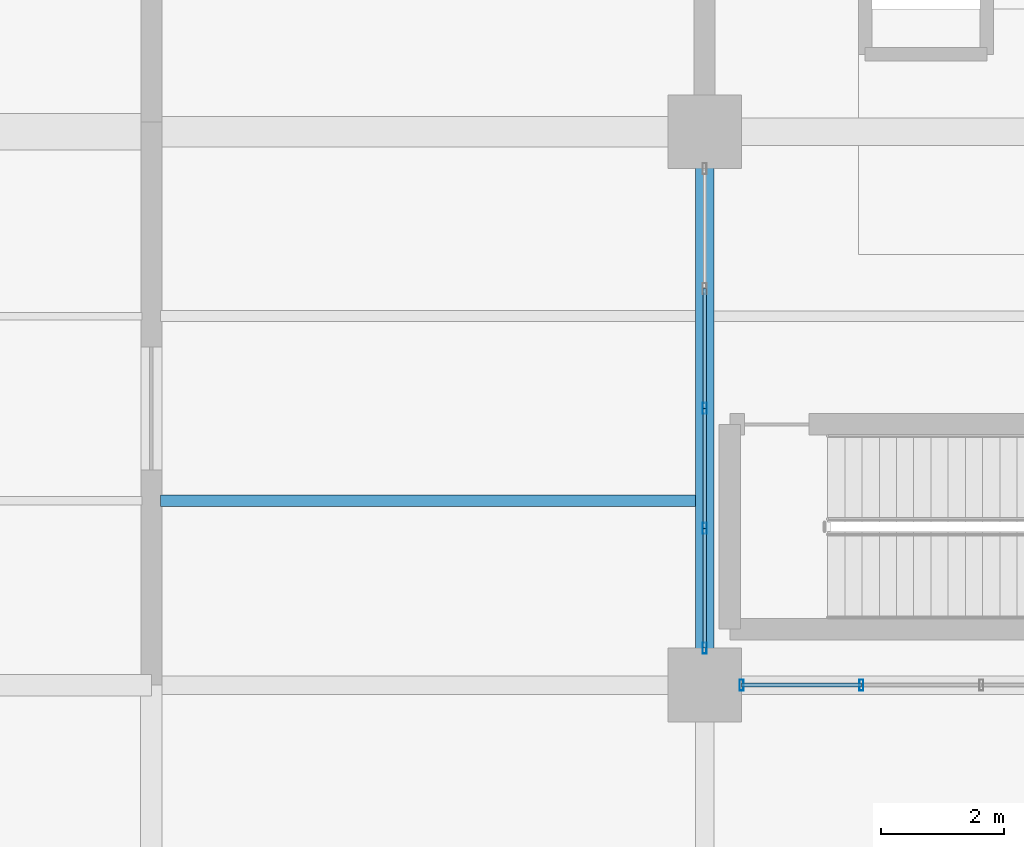
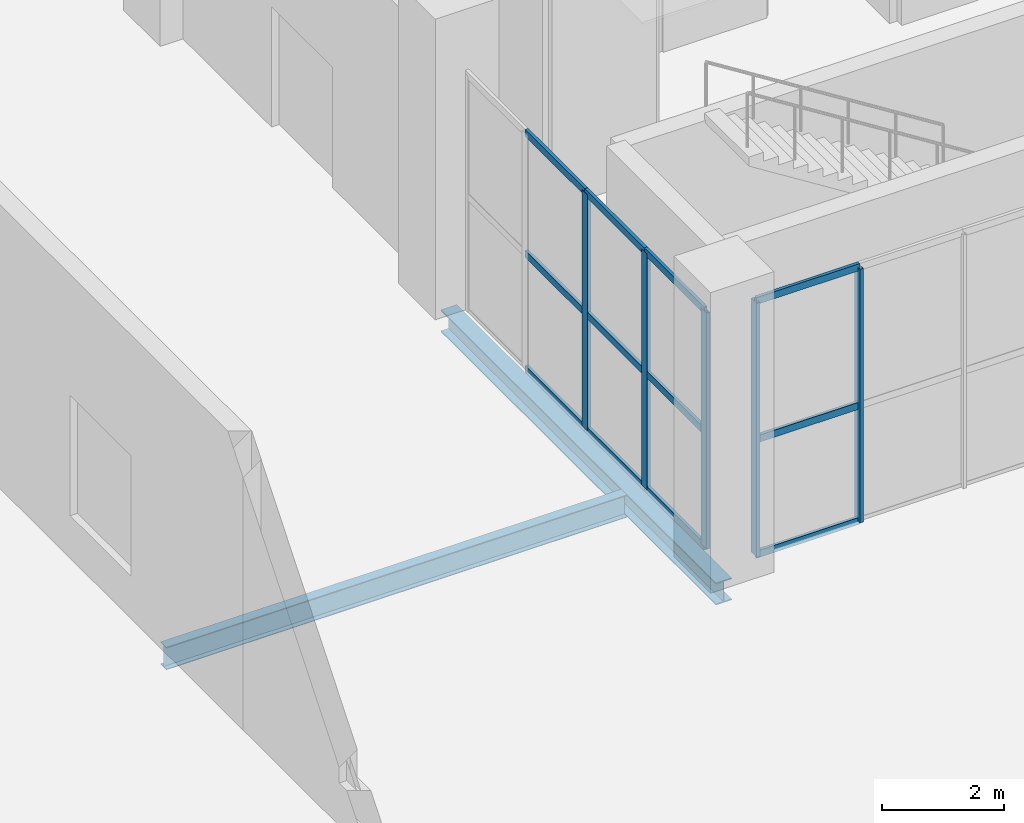
# One storey, part 17 of 144: 17 members, 2 beams, 2 elements without a shape of their own.
"""IFC4 building model written with IfcOpenShell, lengths in metres."""

from ifc_helpers import new_model, si_unit, direction, frame, origin, origin_2d, place, context, subcontext, project, spatial, hollow_rectangle, i_section, extrude, material, layer, layer_set, material_profile, profile_set, type_object, element, aggregate, save


model = new_model("IFC4")

# Units and contexts
model_context = context("Model", 3, precision=1e-05, world=origin(), true_north=direction((0.0, 1.0)))
body_context = subcontext(model_context, "Body", "Model", "MODEL_VIEW")
ifc_project = project(units=[si_unit("LENGTHUNIT", "METRE"), si_unit("AREAUNIT", "SQUARE_METRE"), si_unit("VOLUMEUNIT", "CUBIC_METRE"), si_unit("PLANEANGLEUNIT", "RADIAN"), si_unit("MASSUNIT", "GRAM", prefix="KILO")], contexts=[model_context])

# Site, building, storey
site_placement = place(None, origin())
site = spatial("IfcSite", under=ifc_project, at=site_placement, CompositionType="ELEMENT")
building_placement = place(site_placement, origin())
building = spatial("IfcBuilding", under=site, at=building_placement, Name="Sundgate Opera House", CompositionType="ELEMENT")
storey_placement = place(building_placement, origin())
storey = spatial("IfcBuildingStorey", under=building, at=storey_placement, Name="L00", CompositionType="ELEMENT", Elevation=0.0)

# Beams
ifc_material_1 = material(Name="Steel S355J2", Category="steel")
ifc_material_profile_1 = material_profile(ifc_material_1, i_section(OverallWidth=0.300048828125, OverallDepth=0.43994140625, WebThickness=0.011474609375, FlangeThickness=0.02099609375, at=origin_2d()), Name="HEA 450")
ifc_profile_set_1 = profile_set([ifc_material_profile_1], Name="Steel S355J2")
beam_type_1 = type_object("IfcBeamType", Name="BM-GR-HEA450", PredefinedType="BEAM", material=ifc_profile_set_1)
beam_1_placement = place(storey_placement, frame((36.0, 42.0, -0.5400390625), z_axis=(0.0, 1.0, 0.0), x_axis=(-1.0, 0.0, 0.0)))
element("IfcBeam", 1, at=beam_1_placement, inside=storey, type_object=beam_type_1, Name="L00 Primary N-S Girder B0113", PredefinedType="BEAM", context=body_context, shape_type="SweptSolid", body=[
    extrude(i_section(OverallWidth=0.300048828125, OverallDepth=0.43994140625, WebThickness=0.011474609375, FlangeThickness=0.02099609375, at=origin_2d()), origin(), (0.0, 0.0, 1.0), 9.0),
])
ifc_material_2 = material(Name="Steel S355J2", Category="steel")
ifc_material_profile_2 = material_profile(ifc_material_2, i_section(OverallWidth=0.18994140625, OverallDepth=0.449951171875, WebThickness=0.009521484375, FlangeThickness=0.0146484375, at=origin_2d()), Name="IPE 450")
ifc_profile_set_2 = profile_set([ifc_material_profile_2], Name="Steel S355J2")
beam_type_2 = type_object("IfcBeamType", Name="BM-JS-IPE450", PredefinedType="JOIST", material=ifc_profile_set_2)
beam_2_placement = place(storey_placement, frame((27.14990234375, 45.0, -0.544921875), z_axis=(1.0, 0.0, 0.0), x_axis=(0.0, 1.0, 0.0)))
element("IfcBeam", 2, at=beam_2_placement, inside=storey, type_object=beam_type_2, Name="L00 Secondary Floor Joist B0749", PredefinedType="JOIST", context=body_context, shape_type="SweptSolid", body=[
    extrude(i_section(OverallWidth=0.18994140625, OverallDepth=0.449951171875, WebThickness=0.009521484375, FlangeThickness=0.0146484375, at=origin_2d()), origin(), (0.0, 0.0, 1.0), 8.7001953125),
])

# Curtain wall, members
ifc_material_3 = material(Name="Anodized aluminium and low-iron glass", Category="aluminium")
ifc_layer = layer(ifc_material_3, 0.179931640625)
ifc_layer_set = layer_set([ifc_layer], Name="Anodized aluminium and low-iron glass")
curtain_wall_type = type_object("IfcCurtainWallType", Name="CW-FOYER-GLASS", PredefinedType="NOTDEFINED", material=ifc_layer_set)
curtain_wall_1_placement = place(storey_placement, origin())
curtain_wall_1 = element("IfcCurtainWall", 3, at=curtain_wall_1_placement, inside=storey, type_object=curtain_wall_type, Name="L00 Curtain Wall CW001", PredefinedType="NOTDEFINED")
ifc_material_4 = material(Name="Anodized aluminium EN AW-6063", Category="aluminium")
ifc_material_profile_3 = material_profile(ifc_material_4, hollow_rectangle(XDim=0.06494140625, YDim=0.179931640625, WallThickness=0.00390625, at=origin_2d()), Name="CWM 180x65x4")
ifc_profile_set_3 = profile_set([ifc_material_profile_3], Name="Anodized aluminium EN AW-6063")
member_type_1 = type_object("IfcMemberType", Name="CWM-ALU-180x65", PredefinedType="MULLION", material=ifc_profile_set_3)
member_1_placement = place(storey_placement, frame((38.550048828125, 42.0, 0.0), z_axis=(0.0, 0.0, 1.0), x_axis=(1.0, 0.0, 0.0)))
member_1 = element("IfcMember", 4, at=member_1_placement, type_object=member_type_1, Name="CW001 Mullion 4", PredefinedType="MULLION", context=body_context, shape_type="SweptSolid", body=[
    extrude(hollow_rectangle(XDim=0.06494140625, YDim=0.179931640625, WallThickness=0.00390625, at=origin_2d()), origin(), (0.0, 0.0, 1.0), 5.06494140625),
])
member_2_placement = place(storey_placement, frame((36.60009765625, 42.0, 0.0), z_axis=(0.0, 0.0, 1.0), x_axis=(1.0, 0.0, 0.0)))
member_2 = element("IfcMember", 5, at=member_2_placement, type_object=member_type_1, Name="CW001 Mullion 5", PredefinedType="MULLION", context=body_context, shape_type="SweptSolid", body=[
    extrude(hollow_rectangle(XDim=0.06494140625, YDim=0.179931640625, WallThickness=0.00390625, at=origin_2d()), origin(), (0.0, 0.0, 1.0), 5.06494140625),
])

curtain_wall_2_placement = place(storey_placement, origin())
curtain_wall_2 = element("IfcCurtainWall", 6, at=curtain_wall_2_placement, inside=storey, type_object=curtain_wall_type, Name="L00 Curtain Wall CW005", PredefinedType="NOTDEFINED")
member_3_placement = place(storey_placement, frame((36.0, 46.5, 0.0), z_axis=(0.0, 0.0, 1.0), x_axis=(1.0, 0.0, 0.0)))
member_3 = element("IfcMember", 7, at=member_3_placement, type_object=member_type_1, Name="CW005 Mullion 3", PredefinedType="MULLION", context=body_context, shape_type="SweptSolid", body=[
    extrude(hollow_rectangle(XDim=0.06494140625, YDim=0.179931640625, WallThickness=0.00390625, at=origin_2d()), origin(), (0.0, 0.0, 1.0), 4.715087890625),
])
member_4_placement = place(storey_placement, frame((36.0, 44.550048828125, 0.0), z_axis=(0.0, 0.0, 1.0), x_axis=(1.0, 0.0, 0.0)))
member_4 = element("IfcMember", 8, at=member_4_placement, type_object=member_type_1, Name="CW005 Mullion 4", PredefinedType="MULLION", context=body_context, shape_type="SweptSolid", body=[
    extrude(hollow_rectangle(XDim=0.06494140625, YDim=0.179931640625, WallThickness=0.00390625, at=origin_2d()), origin(), (0.0, 0.0, 1.0), 4.715087890625),
])
member_5_placement = place(storey_placement, frame((36.0, 42.60009765625, 0.0), z_axis=(0.0, 0.0, 1.0), x_axis=(1.0, 0.0, 0.0)))
member_5 = element("IfcMember", 9, at=member_5_placement, type_object=member_type_1, Name="CW005 Mullion 5", PredefinedType="MULLION", context=body_context, shape_type="SweptSolid", body=[
    extrude(hollow_rectangle(XDim=0.06494140625, YDim=0.179931640625, WallThickness=0.00390625, at=origin_2d()), origin(), (0.0, 0.0, 1.0), 4.715087890625),
])

# Member
ifc_material_5 = material(Name="Anodized aluminium EN AW-6063", Category="aluminium")
ifc_material_profile_4 = material_profile(ifc_material_5, hollow_rectangle(XDim=0.06005859375, YDim=0.139892578125, WallThickness=0.00390625, at=origin_2d()), Name="CWT 140x60x4")
ifc_profile_set_4 = profile_set([ifc_material_profile_4], Name="Anodized aluminium EN AW-6063")
member_type_2 = type_object("IfcMemberType", Name="CWT-ALU-140x60", PredefinedType="USERDEFINED", material=ifc_profile_set_4)
member_6_placement = place(storey_placement, frame((38.550048828125, 42.0, 0.0), z_axis=(-1.0, 0.0, 0.0), x_axis=(0.0, -1.0, 0.0)))
member_6 = element("IfcMember", 10, at=member_6_placement, type_object=member_type_2, Name="CW001 Transom 10", ObjectType="TRANSOM", PredefinedType="USERDEFINED", context=body_context, shape_type="SweptSolid", body=[
    extrude(hollow_rectangle(XDim=0.06005859375, YDim=0.139892578125, WallThickness=0.00390625, at=origin_2d()), origin(), (0.0, 0.0, 1.0), 1.949951171875),
])

member_7_placement = place(storey_placement, frame((38.550048828125, 42.0, 2.300048828125), z_axis=(-1.0, 0.0, 0.0), x_axis=(0.0, -1.0, 0.0)))
member_7 = element("IfcMember", 11, at=member_7_placement, type_object=member_type_2, Name="CW001 Transom 11", ObjectType="TRANSOM", PredefinedType="USERDEFINED", context=body_context, shape_type="SweptSolid", body=[
    extrude(hollow_rectangle(XDim=0.06005859375, YDim=0.139892578125, WallThickness=0.00390625, at=origin_2d()), origin(), (0.0, 0.0, 1.0), 1.949951171875),
])

member_8_placement = place(storey_placement, frame((38.550048828125, 42.0, 5.06494140625), z_axis=(-1.0, 0.0, 0.0), x_axis=(0.0, -1.0, 0.0)))
member_8 = element("IfcMember", 12, at=member_8_placement, type_object=member_type_2, Name="CW001 Transom 12", ObjectType="TRANSOM", PredefinedType="USERDEFINED", context=body_context, shape_type="SweptSolid", body=[
    extrude(hollow_rectangle(XDim=0.06005859375, YDim=0.139892578125, WallThickness=0.00390625, at=origin_2d()), origin(), (0.0, 0.0, 1.0), 1.949951171875),
])

aggregate(curtain_wall_1, [member_1, member_2, member_6, member_7, member_8])

member_9_placement = place(storey_placement, frame((36.0, 48.449951171875, 0.0), z_axis=(0.0, -1.0, 0.0), x_axis=(1.0, 0.0, 0.0)))
member_9 = element("IfcMember", 13, at=member_9_placement, type_object=member_type_2, Name="CW005 Transom 4", ObjectType="TRANSOM", PredefinedType="USERDEFINED", context=body_context, shape_type="SweptSolid", body=[
    extrude(hollow_rectangle(XDim=0.06005859375, YDim=0.139892578125, WallThickness=0.00390625, at=origin_2d()), origin(), (0.0, 0.0, 1.0), 1.949951171875),
])

member_10_placement = place(storey_placement, frame((36.0, 48.449951171875, 2.300048828125), z_axis=(0.0, -1.0, 0.0), x_axis=(1.0, 0.0, 0.0)))
member_10 = element("IfcMember", 14, at=member_10_placement, type_object=member_type_2, Name="CW005 Transom 5", ObjectType="TRANSOM", PredefinedType="USERDEFINED", context=body_context, shape_type="SweptSolid", body=[
    extrude(hollow_rectangle(XDim=0.06005859375, YDim=0.139892578125, WallThickness=0.00390625, at=origin_2d()), origin(), (0.0, 0.0, 1.0), 1.949951171875),
])

member_11_placement = place(storey_placement, frame((36.0, 48.449951171875, 4.715087890625), z_axis=(0.0, -1.0, 0.0), x_axis=(1.0, 0.0, 0.0)))
member_11 = element("IfcMember", 15, at=member_11_placement, type_object=member_type_2, Name="CW005 Transom 6", ObjectType="TRANSOM", PredefinedType="USERDEFINED", context=body_context, shape_type="SweptSolid", body=[
    extrude(hollow_rectangle(XDim=0.06005859375, YDim=0.139892578125, WallThickness=0.00390625, at=origin_2d()), origin(), (0.0, 0.0, 1.0), 1.949951171875),
])

member_12_placement = place(storey_placement, frame((36.0, 46.5, 0.0), z_axis=(0.0, -1.0, 0.0), x_axis=(1.0, 0.0, 0.0)))
member_12 = element("IfcMember", 16, at=member_12_placement, type_object=member_type_2, Name="CW005 Transom 7", ObjectType="TRANSOM", PredefinedType="USERDEFINED", context=body_context, shape_type="SweptSolid", body=[
    extrude(hollow_rectangle(XDim=0.06005859375, YDim=0.139892578125, WallThickness=0.00390625, at=origin_2d()), origin(), (0.0, 0.0, 1.0), 1.949951171875),
])

member_13_placement = place(storey_placement, frame((36.0, 46.5, 2.300048828125), z_axis=(0.0, -1.0, 0.0), x_axis=(1.0, 0.0, 0.0)))
member_13 = element("IfcMember", 17, at=member_13_placement, type_object=member_type_2, Name="CW005 Transom 8", ObjectType="TRANSOM", PredefinedType="USERDEFINED", context=body_context, shape_type="SweptSolid", body=[
    extrude(hollow_rectangle(XDim=0.06005859375, YDim=0.139892578125, WallThickness=0.00390625, at=origin_2d()), origin(), (0.0, 0.0, 1.0), 1.949951171875),
])

member_14_placement = place(storey_placement, frame((36.0, 46.5, 4.715087890625), z_axis=(0.0, -1.0, 0.0), x_axis=(1.0, 0.0, 0.0)))
member_14 = element("IfcMember", 18, at=member_14_placement, type_object=member_type_2, Name="CW005 Transom 9", ObjectType="TRANSOM", PredefinedType="USERDEFINED", context=body_context, shape_type="SweptSolid", body=[
    extrude(hollow_rectangle(XDim=0.06005859375, YDim=0.139892578125, WallThickness=0.00390625, at=origin_2d()), origin(), (0.0, 0.0, 1.0), 1.949951171875),
])

member_15_placement = place(storey_placement, frame((36.0, 44.550048828125, 0.0), z_axis=(0.0, -1.0, 0.0), x_axis=(1.0, 0.0, 0.0)))
member_15 = element("IfcMember", 19, at=member_15_placement, type_object=member_type_2, Name="CW005 Transom 10", ObjectType="TRANSOM", PredefinedType="USERDEFINED", context=body_context, shape_type="SweptSolid", body=[
    extrude(hollow_rectangle(XDim=0.06005859375, YDim=0.139892578125, WallThickness=0.00390625, at=origin_2d()), origin(), (0.0, 0.0, 1.0), 1.949951171875),
])

member_16_placement = place(storey_placement, frame((36.0, 44.550048828125, 2.300048828125), z_axis=(0.0, -1.0, 0.0), x_axis=(1.0, 0.0, 0.0)))
member_16 = element("IfcMember", 20, at=member_16_placement, type_object=member_type_2, Name="CW005 Transom 11", ObjectType="TRANSOM", PredefinedType="USERDEFINED", context=body_context, shape_type="SweptSolid", body=[
    extrude(hollow_rectangle(XDim=0.06005859375, YDim=0.139892578125, WallThickness=0.00390625, at=origin_2d()), origin(), (0.0, 0.0, 1.0), 1.949951171875),
])

member_17_placement = place(storey_placement, frame((36.0, 44.550048828125, 4.715087890625), z_axis=(0.0, -1.0, 0.0), x_axis=(1.0, 0.0, 0.0)))
member_17 = element("IfcMember", 21, at=member_17_placement, type_object=member_type_2, Name="CW005 Transom 12", ObjectType="TRANSOM", PredefinedType="USERDEFINED", context=body_context, shape_type="SweptSolid", body=[
    extrude(hollow_rectangle(XDim=0.06005859375, YDim=0.139892578125, WallThickness=0.00390625, at=origin_2d()), origin(), (0.0, 0.0, 1.0), 1.949951171875),
])

aggregate(curtain_wall_2, [member_3, member_4, member_5, member_9, member_10, member_11, member_12, member_13, member_14, member_15, member_16, member_17])

save(model, "model.ifc")
